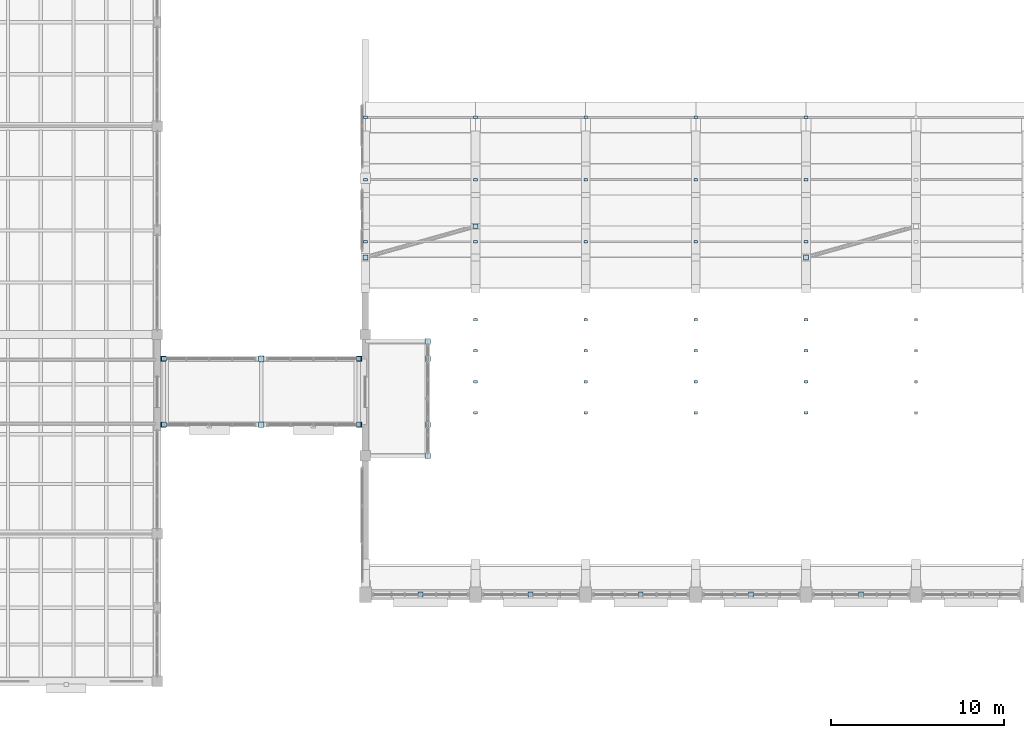
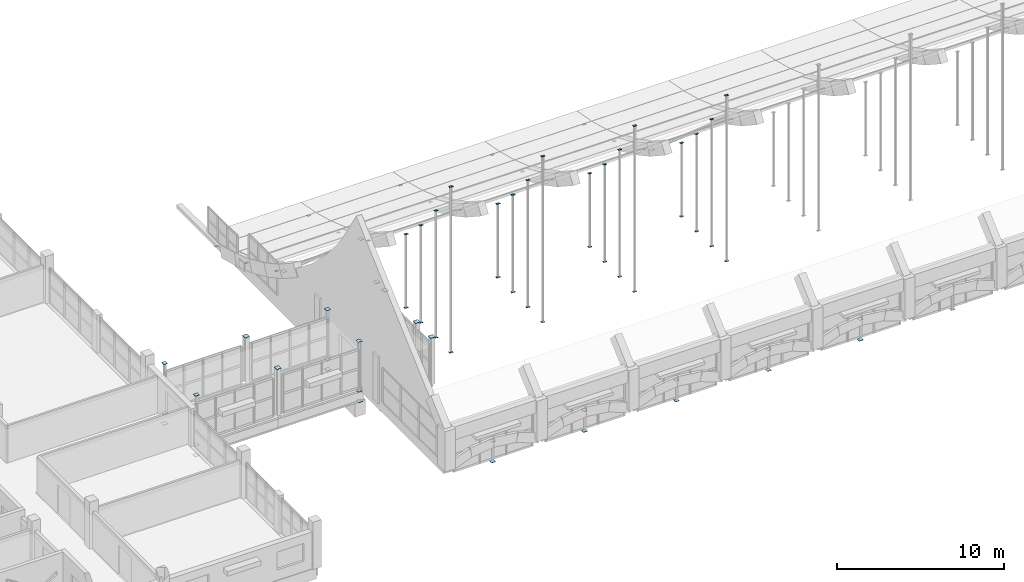
# One storey, part 57 of 77: 78 plates.
"""IFC4 building model written with IfcOpenShell, lengths in metres."""

from ifc_helpers import new_model, si_unit, direction, frame, origin, origin_2d, place, context, subcontext, project, spatial, rectangle, extrude, material, layer, layer_set, type_object, element, save


model = new_model("IFC4")

# Units and contexts
model_context = context("Model", 3, precision=1e-05, world=origin(), true_north=direction((0.0, 1.0)))
body_context = subcontext(model_context, "Body", "Model", "MODEL_VIEW")
ifc_project = project(units=[si_unit("LENGTHUNIT", "METRE"), si_unit("AREAUNIT", "SQUARE_METRE"), si_unit("VOLUMEUNIT", "CUBIC_METRE"), si_unit("PLANEANGLEUNIT", "RADIAN"), si_unit("MASSUNIT", "GRAM", prefix="KILO")], contexts=[model_context])

# Site, building, storey
site_placement = place(None, origin())
site = spatial("IfcSite", under=ifc_project, at=site_placement, CompositionType="ELEMENT")
building_placement = place(site_placement, origin())
building = spatial("IfcBuilding", under=site, at=building_placement, Name="Trellovar Central Fire Station", CompositionType="ELEMENT")
storey_placement = place(building_placement, frame((0.0, 0.0, 5.85009765625)))
storey = spatial("IfcBuildingStorey", under=building, at=storey_placement, Name="L02", CompositionType="ELEMENT", Elevation=5.85009765625)

# Plates
ifc_material_1 = material(Name="Steel ASTM A36", Category="steel")
ifc_layer_1 = layer(ifc_material_1, 0.02392578125)
ifc_layer_set_1 = layer_set([ifc_layer_1], Name="Steel ASTM A36")
plate_type_1 = type_object("IfcPlateType", Name="PLT-EP1", PredefinedType="SHEET", material=ifc_layer_set_1)
for number, where, z_axis, x_axis, name in (
    (1, (29.0, 23.800048828125, 3.387939453125), (0.0, 0.0, 1.0), (1.0, 0.0, 0.0), "HSS end-cap plate 579"),
    (2, (29.0, 27.60009765625, 3.387939453125), (0.0, 0.0, 1.0), (1.0, 0.0, 0.0), "HSS end-cap plate 590"),
    (3, (38.60009765625, 22.0, 3.387939453125), (0.0, 0.0, 1.0), (1.0, 0.0, 0.0), "HSS end-cap plate 597"),
    (4, (38.60009765625, 23.800048828125, 3.387939453125), (0.0, 0.0, 1.0), (1.0, 0.0, 0.0), "HSS end-cap plate 600"),
    (5, (38.60009765625, 27.60009765625, 3.387939453125), (0.0, 0.0, 1.0), (1.0, 0.0, 0.0), "HSS end-cap plate 603"),
    (6, (38.60009765625, 28.60009765625, 3.387939453125), (0.0, 0.0, 1.0), (1.0, 0.0, 0.0), "HSS end-cap plate 606"),
    (7, (23.35009765625, 23.800048828125, -1.011962890625), (0.0, 0.0, 1.0), (1.0, 0.0, 0.0), "HSS end-cap plate 607"),
    (8, (34.64990234375, 23.800048828125, -1.011962890625), (0.0, 0.0, 1.0), (1.0, 0.0, 0.0), "HSS end-cap plate 608"),
    (9, (23.35009765625, 27.60009765625, -1.011962890625), (0.0, 0.0, 1.0), (1.0, 0.0, 0.0), "HSS end-cap plate 609"),
    (10, (34.64990234375, 27.60009765625, -1.011962890625), (0.0, 0.0, 1.0), (1.0, 0.0, 0.0), "HSS end-cap plate 610"),
):
    element("IfcPlate", number, at=place(storey_placement, frame(where, z_axis=z_axis, x_axis=x_axis)), inside=storey, type_object=plate_type_1, Name=name, PredefinedType="SHEET", context=body_context, shape_type="SweptSolid", body=[
        extrude(rectangle(XDim=0.320068359375, YDim=0.320068359375, at=origin_2d()), origin(), (0.0, 0.0, 1.0), 0.02392578125),
    ])
ifc_material_2 = material(Name="Steel ASTM A36", Category="steel")
ifc_layer_2 = layer(ifc_material_2, 0.02001953125)
ifc_layer_set_2 = layer_set([ifc_layer_2], Name="Steel ASTM A36")
plate_type_2 = type_object("IfcPlateType", Name="PLT-EP2", PredefinedType="SHEET", material=ifc_layer_set_2)
for number, where, z_axis, x_axis, name in (
    (11, (38.175048828125, 14.0, -0.710205078125), (0.0, 0.0, 1.0), (1.0, 0.0, 0.0), "HSS end-cap plate 107"),
    (12, (38.175048828125, 14.0, 0.789794921875), (0.0, 0.0, 1.0), (1.0, 0.0, 0.0), "HSS end-cap plate 108"),
    (13, (44.52490234375, 14.0, -0.710205078125), (0.0, 0.0, 1.0), (1.0, 0.0, 0.0), "HSS end-cap plate 109"),
    (14, (44.52490234375, 14.0, 0.789794921875), (0.0, 0.0, 1.0), (1.0, 0.0, 0.0), "HSS end-cap plate 110"),
    (15, (50.875, 14.0, -0.710205078125), (0.0, 0.0, 1.0), (1.0, 0.0, 0.0), "HSS end-cap plate 111"),
    (16, (50.875, 14.0, 0.789794921875), (0.0, 0.0, 1.0), (1.0, 0.0, 0.0), "HSS end-cap plate 112"),
    (17, (57.22509765625, 14.0, -0.710205078125), (0.0, 0.0, 1.0), (1.0, 0.0, 0.0), "HSS end-cap plate 113"),
    (18, (57.22509765625, 14.0, 0.789794921875), (0.0, 0.0, 1.0), (1.0, 0.0, 0.0), "HSS end-cap plate 114"),
    (19, (63.574951171875, 14.0, -0.710205078125), (0.0, 0.0, 1.0), (1.0, 0.0, 0.0), "HSS end-cap plate 115"),
    (20, (63.574951171875, 14.0, 0.789794921875), (0.0, 0.0, 1.0), (1.0, 0.0, 0.0), "HSS end-cap plate 116"),
    (21, (35.0, 33.44677734375, 2.500244140625), (0.0, 0.0, 1.0), (1.0, 0.0, 0.0), "HSS end-cap plate 215"),
    (22, (41.35009765625, 35.239990234375, 1.529296875), (0.0, 0.0, 1.0), (1.0, 0.0, 0.0), "HSS end-cap plate 216"),
    (23, (60.39990234375, 33.44677734375, 2.500244140625), (0.0, 0.0, 1.0), (1.0, 0.0, 0.0), "HSS end-cap plate 260"),
    (24, (23.3798828125, 23.800048828125, -0.25), (0.0, 0.0, 1.0), (1.0, 0.0, 0.0), "HSS end-cap plate 580"),
    (25, (23.3798828125, 23.800048828125, 3.389892578125), (0.0, 0.0, 1.0), (1.0, 0.0, 0.0), "HSS end-cap plate 581"),
    (26, (34.6201171875, 23.800048828125, -0.25), (0.0, 0.0, 1.0), (1.0, 0.0, 0.0), "HSS end-cap plate 582"),
    (27, (34.6201171875, 23.800048828125, 3.389892578125), (0.0, 0.0, 1.0), (1.0, 0.0, 0.0), "HSS end-cap plate 583"),
    (28, (23.3798828125, 27.60009765625, -0.25), (0.0, 0.0, 1.0), (1.0, 0.0, 0.0), "HSS end-cap plate 591"),
    (29, (23.3798828125, 27.60009765625, 3.389892578125), (0.0, 0.0, 1.0), (1.0, 0.0, 0.0), "HSS end-cap plate 592"),
    (30, (34.6201171875, 27.60009765625, -0.25), (0.0, 0.0, 1.0), (1.0, 0.0, 0.0), "HSS end-cap plate 593"),
    (31, (34.6201171875, 27.60009765625, 3.389892578125), (0.0, 0.0, 1.0), (1.0, 0.0, 0.0), "HSS end-cap plate 594"),
):
    element("IfcPlate", number, at=place(storey_placement, frame(where, z_axis=z_axis, x_axis=x_axis)), inside=storey, type_object=plate_type_2, Name=name, PredefinedType="SHEET", context=body_context, shape_type="SweptSolid", body=[
        extrude(rectangle(XDim=0.280029296875, YDim=0.280029296875, at=origin_2d()), origin(), (0.0, 0.0, 1.0), 0.02001953125),
    ])
ifc_material_3 = material(Name="Steel ASTM A36", Category="steel")
ifc_layer_3 = layer(ifc_material_3, 0.01611328125)
ifc_layer_set_3 = layer_set([ifc_layer_3], Name="Steel ASTM A36")
plate_type_3 = type_object("IfcPlateType", Name="PLT-EP4", PredefinedType="SHEET", material=ifc_layer_set_3)
for number, where, z_axis, x_axis, name in (
    (32, (41.35009765625, 24.47998046875, -0.208251953125), (0.0, 0.0, 1.0), (1.0, 0.0, 0.0), "HSS end-cap plate 127"),
    (33, (41.35009765625, 24.47998046875, 11.891845703125), (0.0, 0.0, 1.0), (1.0, 0.0, 0.0), "HSS end-cap plate 128"),
    (34, (41.35009765625, 26.273193359375, -0.208251953125), (0.0, 0.0, 1.0), (1.0, 0.0, 0.0), "HSS end-cap plate 129"),
    (35, (41.35009765625, 26.273193359375, 9.062255859375), (0.0, 0.0, 1.0), (1.0, 0.0, 0.0), "HSS end-cap plate 130"),
    (36, (41.35009765625, 28.066650390625, -0.208251953125), (0.0, 0.0, 1.0), (1.0, 0.0, 0.0), "HSS end-cap plate 131"),
    (37, (41.35009765625, 28.066650390625, 6.899169921875), (0.0, 0.0, 1.0), (1.0, 0.0, 0.0), "HSS end-cap plate 132"),
    (38, (41.35009765625, 29.860107421875, -0.208251953125), (0.0, 0.0, 1.0), (1.0, 0.0, 0.0), "HSS end-cap plate 133"),
    (39, (41.35009765625, 29.860107421875, 5.159423828125), (0.0, 0.0, 1.0), (1.0, 0.0, 0.0), "HSS end-cap plate 134"),
    (40, (47.699951171875, 24.47998046875, -0.208251953125), (0.0, 0.0, 1.0), (1.0, 0.0, 0.0), "HSS end-cap plate 135"),
    (41, (47.699951171875, 24.47998046875, 11.891845703125), (0.0, 0.0, 1.0), (1.0, 0.0, 0.0), "HSS end-cap plate 136"),
    (42, (47.699951171875, 26.273193359375, -0.208251953125), (0.0, 0.0, 1.0), (1.0, 0.0, 0.0), "HSS end-cap plate 137"),
    (43, (47.699951171875, 26.273193359375, 9.062255859375), (0.0, 0.0, 1.0), (1.0, 0.0, 0.0), "HSS end-cap plate 138"),
    (44, (47.699951171875, 28.066650390625, -0.208251953125), (0.0, 0.0, 1.0), (1.0, 0.0, 0.0), "HSS end-cap plate 139"),
    (45, (47.699951171875, 28.066650390625, 6.899169921875), (0.0, 0.0, 1.0), (1.0, 0.0, 0.0), "HSS end-cap plate 140"),
    (46, (47.699951171875, 29.860107421875, -0.208251953125), (0.0, 0.0, 1.0), (1.0, 0.0, 0.0), "HSS end-cap plate 141"),
    (47, (47.699951171875, 29.860107421875, 5.159423828125), (0.0, 0.0, 1.0), (1.0, 0.0, 0.0), "HSS end-cap plate 142"),
    (48, (54.050048828125, 24.47998046875, -0.208251953125), (0.0, 0.0, 1.0), (1.0, 0.0, 0.0), "HSS end-cap plate 143"),
    (49, (54.050048828125, 24.47998046875, 11.891845703125), (0.0, 0.0, 1.0), (1.0, 0.0, 0.0), "HSS end-cap plate 144"),
    (50, (54.050048828125, 26.273193359375, -0.208251953125), (0.0, 0.0, 1.0), (1.0, 0.0, 0.0), "HSS end-cap plate 145"),
    (51, (54.050048828125, 26.273193359375, 9.062255859375), (0.0, 0.0, 1.0), (1.0, 0.0, 0.0), "HSS end-cap plate 146"),
    (52, (54.050048828125, 28.066650390625, -0.208251953125), (0.0, 0.0, 1.0), (1.0, 0.0, 0.0), "HSS end-cap plate 147"),
    (53, (54.050048828125, 28.066650390625, 6.899169921875), (0.0, 0.0, 1.0), (1.0, 0.0, 0.0), "HSS end-cap plate 148"),
    (54, (54.050048828125, 29.860107421875, -0.208251953125), (0.0, 0.0, 1.0), (1.0, 0.0, 0.0), "HSS end-cap plate 149"),
    (55, (54.050048828125, 29.860107421875, 5.159423828125), (0.0, 0.0, 1.0), (1.0, 0.0, 0.0), "HSS end-cap plate 150"),
    (56, (60.39990234375, 24.47998046875, -0.208251953125), (0.0, 0.0, 1.0), (1.0, 0.0, 0.0), "HSS end-cap plate 151"),
    (57, (60.39990234375, 24.47998046875, 11.891845703125), (0.0, 0.0, 1.0), (1.0, 0.0, 0.0), "HSS end-cap plate 152"),
    (58, (60.39990234375, 26.273193359375, -0.208251953125), (0.0, 0.0, 1.0), (1.0, 0.0, 0.0), "HSS end-cap plate 153"),
    (59, (60.39990234375, 26.273193359375, 9.062255859375), (0.0, 0.0, 1.0), (1.0, 0.0, 0.0), "HSS end-cap plate 154"),
    (60, (60.39990234375, 28.066650390625, -0.208251953125), (0.0, 0.0, 1.0), (1.0, 0.0, 0.0), "HSS end-cap plate 155"),
    (61, (60.39990234375, 28.066650390625, 6.899169921875), (0.0, 0.0, 1.0), (1.0, 0.0, 0.0), "HSS end-cap plate 156"),
    (62, (60.39990234375, 29.860107421875, -0.208251953125), (0.0, 0.0, 1.0), (1.0, 0.0, 0.0), "HSS end-cap plate 157"),
    (63, (60.39990234375, 29.860107421875, 5.159423828125), (0.0, 0.0, 1.0), (1.0, 0.0, 0.0), "HSS end-cap plate 158"),
    (64, (35.0, 34.343505859375, 1.976806640625), (0.0, 0.0, 1.0), (1.0, 0.0, 0.0), "HSS end-cap plate 213"),
    (65, (41.35009765625, 34.343505859375, 1.976806640625), (0.0, 0.0, 1.0), (1.0, 0.0, 0.0), "HSS end-cap plate 214"),
    (66, (35.0, 37.929931640625, 0.388427734375), (0.0, 0.0, 1.0), (1.0, 0.0, 0.0), "HSS end-cap plate 217"),
    (67, (41.35009765625, 37.929931640625, 0.388427734375), (0.0, 0.0, 1.0), (1.0, 0.0, 0.0), "HSS end-cap plate 218"),
    (68, (35.0, 41.5166015625, -0.567138671875), (0.0, 0.0, 1.0), (1.0, 0.0, 0.0), "HSS end-cap plate 219"),
    (69, (41.35009765625, 41.5166015625, -0.567138671875), (0.0, 0.0, 1.0), (1.0, 0.0, 0.0), "HSS end-cap plate 220"),
    (70, (47.699951171875, 34.343505859375, 1.976806640625), (0.0, 0.0, 1.0), (1.0, 0.0, 0.0), "HSS end-cap plate 228"),
    (71, (47.699951171875, 37.929931640625, 0.388427734375), (0.0, 0.0, 1.0), (1.0, 0.0, 0.0), "HSS end-cap plate 229"),
    (72, (47.699951171875, 41.5166015625, -0.567138671875), (0.0, 0.0, 1.0), (1.0, 0.0, 0.0), "HSS end-cap plate 230"),
    (73, (54.050048828125, 34.343505859375, 1.976806640625), (0.0, 0.0, 1.0), (1.0, 0.0, 0.0), "HSS end-cap plate 237"),
    (74, (54.050048828125, 37.929931640625, 0.388427734375), (0.0, 0.0, 1.0), (1.0, 0.0, 0.0), "HSS end-cap plate 238"),
    (75, (54.050048828125, 41.5166015625, -0.567138671875), (0.0, 0.0, 1.0), (1.0, 0.0, 0.0), "HSS end-cap plate 239"),
    (76, (60.39990234375, 34.343505859375, 1.976806640625), (0.0, 0.0, 1.0), (1.0, 0.0, 0.0), "HSS end-cap plate 246"),
    (77, (60.39990234375, 37.929931640625, 0.388427734375), (0.0, 0.0, 1.0), (1.0, 0.0, 0.0), "HSS end-cap plate 247"),
    (78, (60.39990234375, 41.5166015625, -0.567138671875), (0.0, 0.0, 1.0), (1.0, 0.0, 0.0), "HSS end-cap plate 248"),
):
    element("IfcPlate", number, at=place(storey_placement, frame(where, z_axis=z_axis, x_axis=x_axis)), inside=storey, type_object=plate_type_3, Name=name, PredefinedType="SHEET", context=body_context, shape_type="SweptSolid", body=[
        extrude(rectangle(XDim=0.219970703125, YDim=0.139892578125, at=origin_2d()), origin(), (0.0, 0.0, 1.0), 0.01611328125),
    ])

save(model, "model.ifc")
